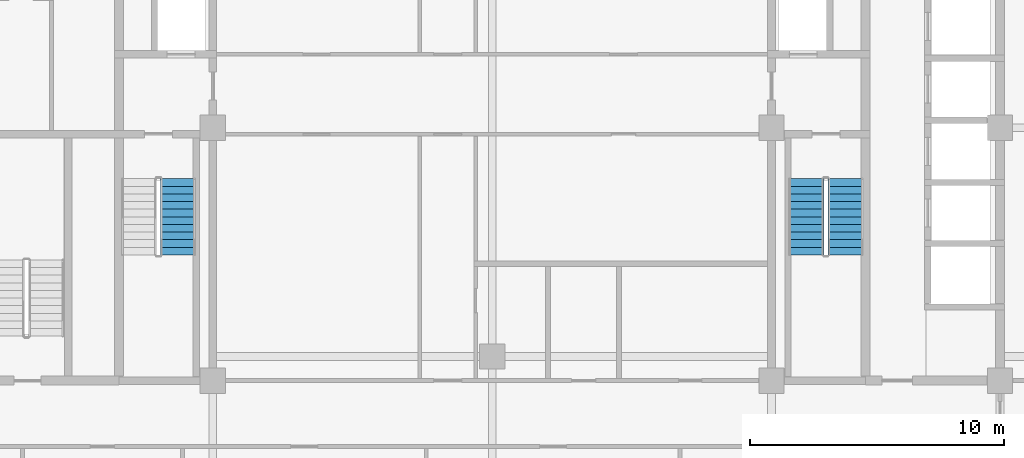
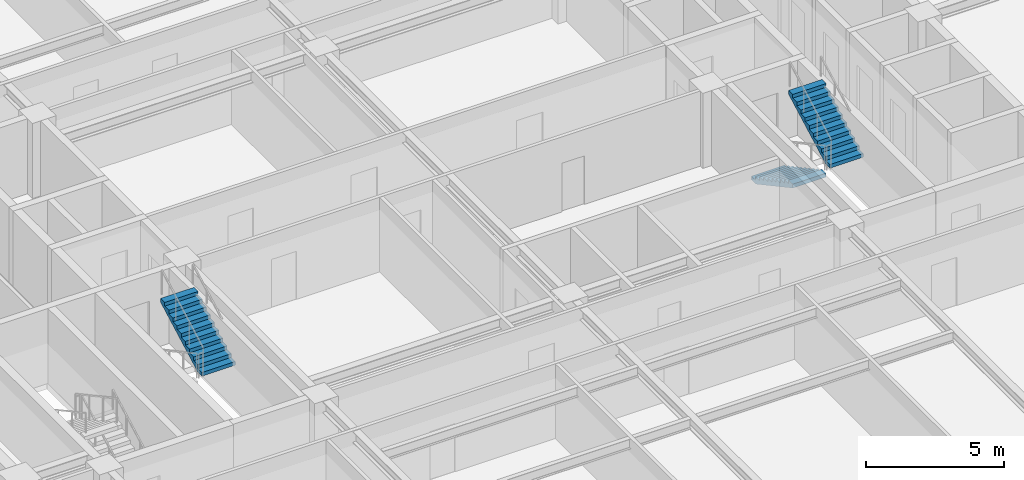
# One storey, part 7 of 14: 3 stair flights, 2 elements without a shape of their own.
"""IFC4 building model written with IfcOpenShell, lengths in metres."""

import ifcopenshell
import ifcopenshell.guid

model = None  # the IFC model being written
_history = None  # IfcOwnerHistory: only IFC2X3 demands one
_inside = {}  # id of a spatial element -> (the spatial element, [elements in it])
_under = {}  # id of a project, library or spatial element -> (it, [spatial elements below it])
_declared = {}  # id of a project -> (the project, [libraries it declares])
_typed = {}  # id of a type object -> (the type object, [elements of that type])
_made_of = {}  # id of a material, layer set ... -> (it, [elements and type objects made of it])


def new_model(schema):
    """Start an empty IFC model of exactly this schema.

    Asked for "IFC4X3", IfcOpenShell would pick the latest addendum, in which some entities
    have other attributes; the version numbers below select the first issue.
    IFC2X3 requires an IfcOwnerHistory on every rooted entity: one is made here for all.
    """
    global model, _history
    if schema == "IFC4X3":
        model = ifcopenshell.file(schema_version=(4, 3, 0, 0))
    else:
        model = ifcopenshell.file(schema=schema)
    _inside.clear()
    _under.clear()
    _declared.clear()
    _typed.clear()
    _made_of.clear()
    _history = None
    if model.schema == "IFC2X3":
        org = make("IfcOrganization", Name="unknown")
        user = make(
            "IfcPersonAndOrganization",
            ThePerson=make("IfcPerson", FamilyName="unknown"),
            TheOrganization=org,
        )
        app = make(
            "IfcApplication",
            ApplicationDeveloper=org,
            Version="unknown",
            ApplicationFullName="unknown",
            ApplicationIdentifier="unknown",
        )
        _history = make(
            "IfcOwnerHistory",
            OwningUser=user,
            OwningApplication=app,
            ChangeAction="ADDED",
            CreationDate=0,
        )
    return model


def make(cls, **values):
    """One entity of the class cls with the attributes given. An attribute that is None is left unset."""
    return model.create_entity(
        cls, **{name: value for name, value in values.items() if value is not None}
    )


def rooted(cls, **values):
    """An entity with a GlobalId (a new one), such as an element, a storey or a relation."""
    return make(cls, GlobalId=ifcopenshell.guid.new(), OwnerHistory=_history, **values)


def si_unit(unit_type, name, prefix=None):
    """IfcSIUnit, for example si_unit("LENGTHUNIT", "METRE", prefix="MILLI")."""
    return make("IfcSIUnit", UnitType=unit_type, Prefix=prefix, Name=name)


def assignment(units):
    """IfcUnitAssignment: the units of a project."""
    return None if units is None else make("IfcUnitAssignment", Units=units)


def point(xyz):
    """IfcCartesianPoint."""
    return None if xyz is None else make("IfcCartesianPoint", Coordinates=xyz)


def direction(xyz):
    """IfcDirection."""
    return None if xyz is None else make("IfcDirection", DirectionRatios=xyz)


def frame(location, z_axis=None, x_axis=None):
    """IfcAxis2Placement3D, a coordinate frame: its origin and axes. An axis left out is left unset."""
    return make(
        "IfcAxis2Placement3D",
        Location=point(location),
        Axis=direction(z_axis),
        RefDirection=direction(x_axis),
    )


def origin():
    """The frame at (0, 0, 0) with its axes left unset."""
    return frame((0.0, 0.0, 0.0))


def place(relative_to, where):
    """IfcLocalPlacement: puts the frame where relative to a parent placement (None: the world)."""
    return make(
        "IfcLocalPlacement", PlacementRelTo=relative_to, RelativePlacement=where
    )


def context(
    kind, dimensions, precision=None, world=None, true_north=None, identifier=None
):
    """IfcGeometricRepresentationContext, for example the 3D "Model" context."""
    return make(
        "IfcGeometricRepresentationContext",
        ContextIdentifier=identifier,
        ContextType=kind,
        CoordinateSpaceDimension=dimensions,
        Precision=precision,
        WorldCoordinateSystem=world,
        TrueNorth=true_north,
    )


def subcontext(parent, identifier, kind, view, scale=None):
    """IfcGeometricRepresentationSubContext, for example "Body" below "Model"."""
    return make(
        "IfcGeometricRepresentationSubContext",
        ContextIdentifier=identifier,
        ContextType=kind,
        ParentContext=parent,
        TargetScale=scale,
        TargetView=view,
    )


def project(units=None, contexts=None):
    """IfcProject with its units and contexts."""
    return rooted(
        "IfcProject",
        Name="project",
        RepresentationContexts=contexts,
        UnitsInContext=assignment(units),
    )


def spatial(cls, under=None, at=None, **own):
    """A site, building, storey or space (cls), placed at a placement, below another one or the project."""
    s = rooted(cls, ObjectPlacement=at, **own)
    if under is not None:
        _under.setdefault(under.id(), (under, []))[1].append(s)
    return s


def polyline(points):
    """IfcPolyline through the points."""
    return make("IfcPolyline", Points=[point(p) for p in points])


def outline(outer, holes=None, kind="AREA"):
    """IfcArbitraryClosedProfileDef: a profile drawn as a closed curve; with holes, ...WithVoids."""
    if holes is None:
        return make("IfcArbitraryClosedProfileDef", ProfileType=kind, OuterCurve=outer)
    return make(
        "IfcArbitraryProfileDefWithVoids",
        ProfileType=kind,
        OuterCurve=outer,
        InnerCurves=holes,
    )


def extrude(swept, where, along, depth):
    """IfcExtrudedAreaSolid: the profile swept, set in the frame where, extruded along a direction by depth."""
    return make(
        "IfcExtrudedAreaSolid",
        SweptArea=swept,
        Position=where,
        ExtrudedDirection=direction(along),
        Depth=depth,
    )


def shape(context_of_items, identifier, shape_type, items):
    """IfcShapeRepresentation: the items that make up one representation, for example the "Body"."""
    return make(
        "IfcShapeRepresentation",
        ContextOfItems=context_of_items,
        RepresentationIdentifier=identifier,
        RepresentationType=shape_type,
        Items=items,
    )


def material(Name=None, Category=None):
    """IfcMaterial."""
    return make("IfcMaterial", Name=Name, Category=Category)


def layer(
    of_material, thickness, ventilated=None, Name=None, Category=None, Priority=None
):
    """IfcMaterialLayer: one layer of a wall or slab, of a material (None: an air gap)."""
    return make(
        "IfcMaterialLayer",
        Material=of_material,
        LayerThickness=thickness,
        IsVentilated=ventilated,
        Name=Name,
        Category=Category,
        Priority=Priority,
    )


def layer_set(layers, Name=None):
    """IfcMaterialLayerSet."""
    return make("IfcMaterialLayerSet", MaterialLayers=layers, LayerSetName=Name)


def made_of(thing, what):
    """Note that an element or type object is made of a material, layer set ...; save() writes the relation."""
    if what is not None:
        _made_of.setdefault(what.id(), (what, []))[1].append(thing)
    return thing


def type_object(cls, material=None, **own):
    """A type object (cls), such as IfcWallType, which elements share."""
    return made_of(rooted(cls, **own), material)


def element(
    cls,
    number,
    at=None,
    inside=None,
    cuts=None,
    type_object=None,
    material=None,
    context=None,
    identifier="Body",
    shape_type=None,
    held_by="IfcProductDefinitionShape",
    body=None,
    shapes=None,
    **own,
):
    """One element of the class cls, such as IfcWall. Its Tag is "e" and its number.

    at: its placement. inside: the storey or other place that contains it. cuts: it is an
    opening in that element (IfcRelVoidsElement). A single representation is given by context,
    identifier, shape_type and body (its items); several are given by shapes. held_by: the class
    of the entity that holds the representations. save() writes the other relations.
    """
    e = rooted(cls, Tag="e%d" % number, ObjectPlacement=at, **own)
    if body is not None:
        shapes = [shape(context, identifier, shape_type, body)]
    if shapes is not None:
        e.Representation = make(held_by, Representations=shapes)
    if inside is not None:
        _inside.setdefault(inside.id(), (inside, []))[1].append(e)
    if cuts is not None:
        rooted(
            "IfcRelVoidsElement", RelatingBuildingElement=cuts, RelatedOpeningElement=e
        )
    if type_object is not None:
        _typed.setdefault(type_object.id(), (type_object, []))[1].append(e)
    return made_of(e, material)


def aggregate(whole, parts):
    """IfcRelAggregates: a whole, such as a stair, and the parts it consists of."""
    return rooted("IfcRelAggregates", RelatingObject=whole, RelatedObjects=parts)


def save(model, path):
    """Write the relations noted so far, then the file.

    IfcRelAggregates (storeys below a building ...), IfcRelContainedInSpatialStructure (elements
    in a storey), IfcRelDefinesByType, IfcRelAssociatesMaterial and IfcRelDeclares: one each for
    every whole, place, type object, material and project.
    """
    for whole, parts in _under.values():
        aggregate(whole, parts)
    for where, things in _inside.values():
        rooted(
            "IfcRelContainedInSpatialStructure",
            RelatedElements=things,
            RelatingStructure=where,
        )
    for kind, things in _typed.values():
        rooted("IfcRelDefinesByType", RelatedObjects=things, RelatingType=kind)
    for what, things in _made_of.values():
        rooted("IfcRelAssociatesMaterial", RelatedObjects=things, RelatingMaterial=what)
    for by, libraries in _declared.values():
        rooted("IfcRelDeclares", RelatingContext=by, RelatedDefinitions=libraries)
    model.write(path)


model = new_model("IFC4")

# Units and contexts
model_context = context("Model", 3, precision=1e-05, world=origin(), true_north=direction((0.0, 1.0)))
body_context = subcontext(model_context, "Body", "Model", "MODEL_VIEW")
ifc_project = project(units=[si_unit("LENGTHUNIT", "METRE"), si_unit("AREAUNIT", "SQUARE_METRE"), si_unit("VOLUMEUNIT", "CUBIC_METRE"), si_unit("PLANEANGLEUNIT", "RADIAN"), si_unit("MASSUNIT", "GRAM", prefix="KILO")], contexts=[model_context])

# Site, building, storey
site_placement = place(None, origin())
site = spatial("IfcSite", under=ifc_project, at=site_placement, CompositionType="ELEMENT")
building_placement = place(site_placement, origin())
building = spatial("IfcBuilding", under=site, at=building_placement, Name="Zulmaris Gate Convention Tower", CompositionType="ELEMENT")
storey_placement = place(building_placement, frame((0.0, 0.0, 98.5)))
storey = spatial("IfcBuildingStorey", under=building, at=storey_placement, Name="L24", CompositionType="ELEMENT", Elevation=98.5)

# Stair, stair flight
ifc_material = material(Name="Concrete C45/55", Category="concrete")
stair_type = type_object("IfcStairType", Name="ST-CORE-DOGLEG", PredefinedType="HALF_TURN_STAIR", material=ifc_material)
stair_1_placement = place(storey_placement, origin())
stair_1 = element("IfcStair", 1, at=stair_1_placement, inside=storey, type_object=stair_type, Name="L24 Core Exit Stair ST-1", PredefinedType="HALF_TURN_STAIR")
ifc_layer = layer(ifc_material, 0.14990234375, Name="Concrete C45/55")
ifc_layer_set = layer_set([ifc_layer], Name="Concrete C45/55")
stair_flight_type = type_object("IfcStairFlightType", Name="STF-RC150", PredefinedType="STRAIGHT", material=ifc_layer_set)
stair_flight_1_placement = place(storey_placement, frame((-12.360107421875, -5.0, 1.784912109375), z_axis=(0.0, 0.0, 1.0), x_axis=(0.0, 1.0, 0.0)))
stair_flight_1 = element("IfcStairFlight", 2, at=stair_flight_1_placement, type_object=stair_flight_type, Name="ST-1 flight 2", NumberOfRisers=11, NumberOfTreads=10, PredefinedType="STRAIGHT", RiserHeight=0.162263636, TreadLength=0.3, context=body_context, shape_type="SweptSolid", body=[
    extrude(outline(polyline([(0.0, 0.0), (0.0, 0.162353515625), (0.300048828125, 0.162353515625), (0.300048828125, 0.324462890625), (0.60009765625, 0.324462890625), (0.60009765625, 0.48681640625), (0.89990234375, 0.48681640625), (0.89990234375, 0.649169921875), (1.199951171875, 0.649169921875), (1.199951171875, 0.811279296875), (1.5, 0.811279296875), (1.5, 0.9736328125), (1.800048828125, 0.9736328125), (1.800048828125, 1.1357421875), (2.10009765625, 1.1357421875), (2.10009765625, 1.298095703125), (2.39990234375, 1.298095703125), (2.39990234375, 1.46044921875), (2.699951171875, 1.46044921875), (2.699951171875, 1.62255859375), (3.0, 1.62255859375), (3.0, 1.784912109375), (3.0, 1.4521484375), (0.315185546875, 0.0), (0.0, 0.0)])), frame((0.0, 0.699951171875, 0.0), z_axis=(0.0, -1.0, 0.0), x_axis=(1.0, 0.0, 0.0)), (0.0, 0.0, 1.0), 1.39990234375),
])
aggregate(stair_1, [stair_flight_1])

# Stair, stair flights
stair_2_placement = place(storey_placement, origin())
stair_2 = element("IfcStair", 3, at=stair_2_placement, inside=storey, type_object=stair_type, Name="L24 Core Exit Stair ST-2", PredefinedType="HALF_TURN_STAIR")
stair_flight_2_placement = place(storey_placement, frame((12.360107421875, -2.0, 0.0), z_axis=(0.0, 0.0, 1.0), x_axis=(0.0, -1.0, 0.0)))
stair_flight_2 = element("IfcStairFlight", 4, at=stair_flight_2_placement, type_object=stair_flight_type, Name="ST-2 flight 1", NumberOfRisers=11, NumberOfTreads=10, PredefinedType="STRAIGHT", RiserHeight=0.162263636, TreadLength=0.3, context=body_context, shape_type="SweptSolid", body=[
    extrude(outline(polyline([(0.0, 0.0), (0.0, 0.162353515625), (0.300048828125, 0.162353515625), (0.300048828125, 0.324462890625), (0.60009765625, 0.324462890625), (0.60009765625, 0.48681640625), (0.89990234375, 0.48681640625), (0.89990234375, 0.649169921875), (1.199951171875, 0.649169921875), (1.199951171875, 0.811279296875), (1.5, 0.811279296875), (1.5, 0.9736328125), (1.800048828125, 0.9736328125), (1.800048828125, 1.1357421875), (2.10009765625, 1.1357421875), (2.10009765625, 1.298095703125), (2.39990234375, 1.298095703125), (2.39990234375, 1.46044921875), (2.699951171875, 1.46044921875), (2.699951171875, 1.62255859375), (3.0, 1.62255859375), (3.0, 1.784912109375), (3.0, 1.4521484375), (0.315185546875, 0.0), (0.0, 0.0)])), frame((0.0, 0.699951171875, 0.0), z_axis=(0.0, -1.0, 0.0), x_axis=(1.0, 0.0, 0.0)), (0.0, 0.0, 1.0), 1.39990234375),
])
stair_flight_3_placement = place(storey_placement, frame((13.919921875, -5.0, 1.784912109375), z_axis=(0.0, 0.0, 1.0), x_axis=(0.0, 1.0, 0.0)))
stair_flight_3 = element("IfcStairFlight", 5, at=stair_flight_3_placement, type_object=stair_flight_type, Name="ST-2 flight 2", NumberOfRisers=11, NumberOfTreads=10, PredefinedType="STRAIGHT", RiserHeight=0.162263636, TreadLength=0.3, context=body_context, shape_type="SweptSolid", body=[
    extrude(outline(polyline([(0.0, 0.0), (0.0, 0.162353515625), (0.300048828125, 0.162353515625), (0.300048828125, 0.324462890625), (0.60009765625, 0.324462890625), (0.60009765625, 0.48681640625), (0.89990234375, 0.48681640625), (0.89990234375, 0.649169921875), (1.199951171875, 0.649169921875), (1.199951171875, 0.811279296875), (1.5, 0.811279296875), (1.5, 0.9736328125), (1.800048828125, 0.9736328125), (1.800048828125, 1.1357421875), (2.10009765625, 1.1357421875), (2.10009765625, 1.298095703125), (2.39990234375, 1.298095703125), (2.39990234375, 1.46044921875), (2.699951171875, 1.46044921875), (2.699951171875, 1.62255859375), (3.0, 1.62255859375), (3.0, 1.784912109375), (3.0, 1.4521484375), (0.315185546875, 0.0), (0.0, 0.0)])), frame((0.0, 0.699951171875, 0.0), z_axis=(0.0, -1.0, 0.0), x_axis=(1.0, 0.0, 0.0)), (0.0, 0.0, 1.0), 1.39990234375),
])
aggregate(stair_2, [stair_flight_2, stair_flight_3])

save(model, "model.ifc")
